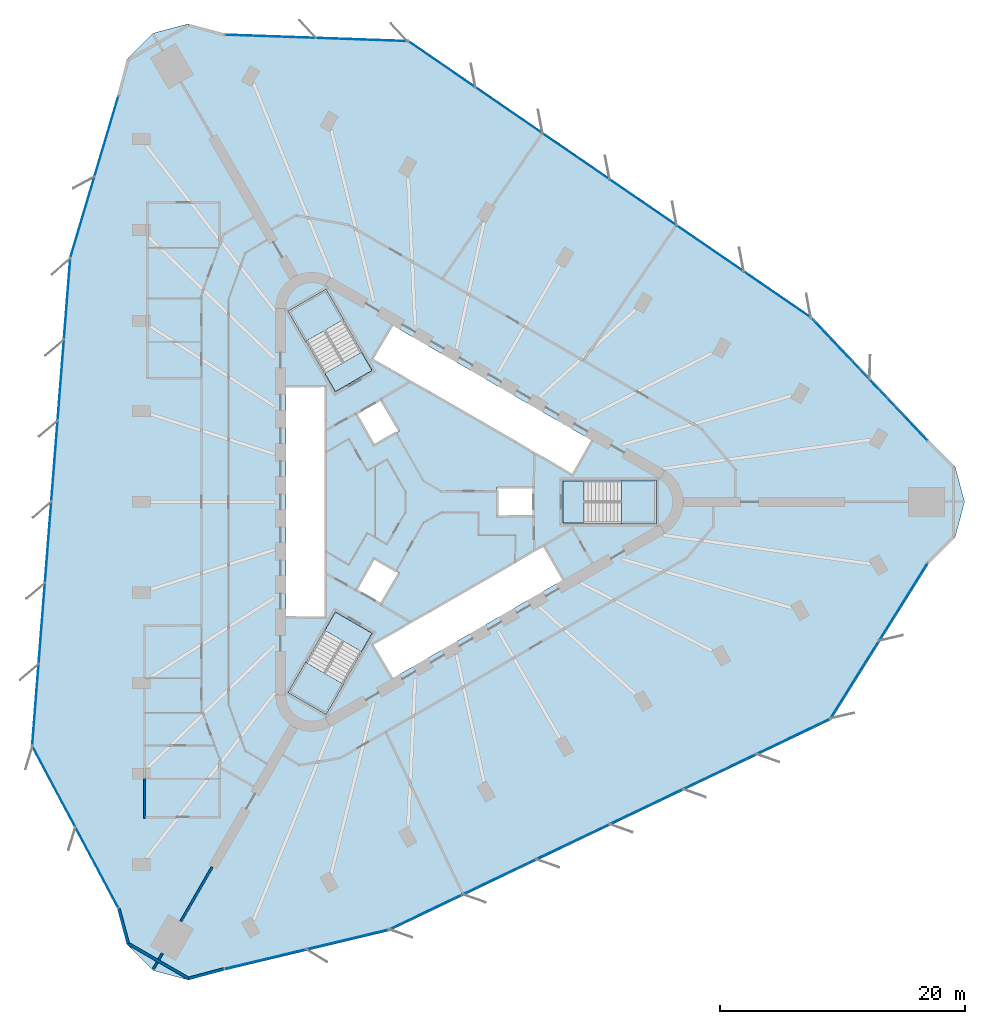
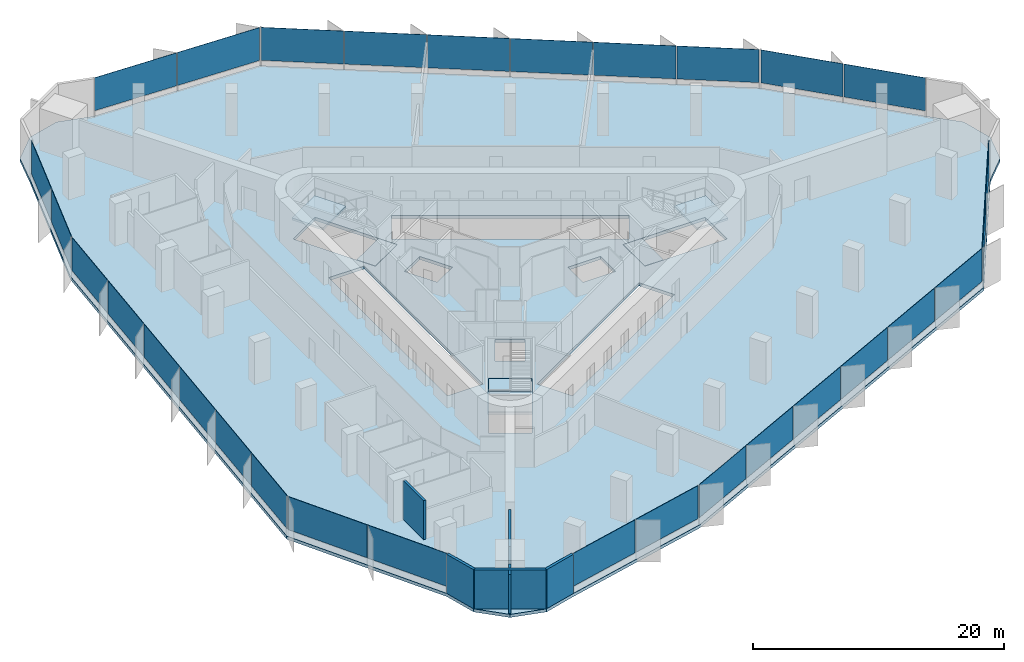
# One storey, part 8 of 15: 30 plates, 7 slabs, 7 walls, 12 elements without a shape of their own.
"""IFC4 building model written with IfcOpenShell, lengths in metres."""

from ifc_helpers import new_model, si_unit, direction, frame, frame_2d, origin, origin_2d, place, context, subcontext, project, spatial, polyline, rectangle, outline, extrude, material, layer, layer_set, type_object, element, aggregate, save


model = new_model("IFC4")

# Units and contexts
model_context = context("Model", 3, precision=1e-05, world=origin(), true_north=direction((0.0, 1.0)))
body_context = subcontext(model_context, "Body", "Model", "MODEL_VIEW")
ifc_project = project(units=[si_unit("LENGTHUNIT", "METRE"), si_unit("AREAUNIT", "SQUARE_METRE"), si_unit("VOLUMEUNIT", "CUBIC_METRE"), si_unit("PLANEANGLEUNIT", "RADIAN"), si_unit("MASSUNIT", "GRAM", prefix="KILO")], contexts=[model_context])

# Site, building, storey
site_placement = place(None, origin())
site = spatial("IfcSite", under=ifc_project, at=site_placement, CompositionType="ELEMENT")
building_placement = place(site_placement, origin())
building = spatial("IfcBuilding", under=site, at=building_placement, Name="Tanit Gate Tower", CompositionType="ELEMENT")
storey_placement = place(building_placement, frame((0.0, 0.0, 98.800048828125)))
storey = spatial("IfcBuildingStorey", under=building, at=storey_placement, Name="L20", CompositionType="ELEMENT", Elevation=98.800048828125)

# Slab
ifc_material_1 = material(Name="Concrete C35/45", Category="concrete")
ifc_layer_1 = layer(ifc_material_1, 0.300048828125)
ifc_layer_set_1 = layer_set([ifc_layer_1], Name="FLOOR SLAB 300 C35/45")
slab_type_1 = type_object("IfcSlabType", Name="FLOOR SLAB 300 C35/45", PredefinedType="FLOOR", material=ifc_layer_set_1)
slab_1_placement = place(storey_placement, frame((0.0, 0.0, -0.300048828125)))
element("IfcSlab", 1, at=slab_1_placement, inside=storey, type_object=slab_type_1, Name="FLOOR SLAB L20", PredefinedType="FLOOR", context=body_context, shape_type="SweptSolid", body=[
    extrude(outline(polyline([(41.213134765625, 5.0361328125), (43.341552734375, 2.90771484375), (44.12060546875, 0.0), (43.341552734375, -2.90771484375), (41.213134765625, -5.0361328125), (33.24853515625, -17.77978515625), (-2.780517578125, -34.9921875), (-16.2451171875, -38.209716796875), (-19.15283203125, -38.98876953125), (-22.060302734375, -38.209716796875), (-24.188720703125, -36.081298828125), (-24.968017578125, -33.173583984375), (-32.02197265625, -19.904296875), (-28.913818359375, 19.904296875), (-24.968017578125, 33.173583984375), (-24.188720703125, 36.081298828125), (-22.060302734375, 38.209716796875), (-19.15283203125, 38.98876953125), (-16.2451171875, 38.209716796875), (-1.2265625, 37.683837890625), (31.694580078125, 15.088134765625), (41.213134765625, 5.0361328125)]), holes=[polyline([(11.3701171875, 1.72998046875), (18.929931640625, 1.72998046875), (18.929931640625, -1.72998046875), (11.3701171875, -1.72998046875), (11.3701171875, 1.72998046875)]), polyline([(-4.208984375, 11.60986328125), (-2.583984375, 14.424560546875), (13.783935546875, 4.974609375), (12.158935546875, 2.159912109375), (-4.208984375, 11.60986328125)]), polyline([(-4.208984375, -11.60986328125), (9.82080078125, -3.510009765625), (11.44580078125, -6.324462890625), (-2.583984375, -14.424560546875), (-4.208984375, -11.60986328125)]), polyline([(9.0, 1.199951171875), (9.0, -1.199951171875), (6.0, -1.199951171875), (6.0, 1.199951171875), (9.0, 1.199951171875)]), polyline([(-5.539306640625, 7.194091796875), (-3.460693359375, 8.394287109375), (-1.960693359375, 5.796142578125), (-4.039306640625, 4.59619140625), (-5.539306640625, 7.194091796875)]), polyline([(-1.960693359375, -5.796142578125), (-3.460693359375, -8.394287109375), (-5.539306640625, -7.194091796875), (-4.039306640625, -4.59619140625), (-1.960693359375, -5.796142578125)]), polyline([(-10.963134765625, 15.52880859375), (-7.966796875, 17.2587890625), (-4.186767578125, 10.711669921875), (-7.18310546875, 8.981689453125), (-10.963134765625, 15.52880859375)]), polyline([(-4.186767578125, -10.711669921875), (-7.966796875, -17.2587890625), (-10.963134765625, -15.52880859375), (-7.18310546875, -8.981689453125), (-4.186767578125, -10.711669921875)]), polyline([(-11.199951171875, -9.449951171875), (-11.199951171875, 9.449951171875), (-7.949951171875, 9.449951171875), (-7.949951171875, -9.449951171875), (-11.199951171875, -9.449951171875)])]), origin(), (0.0, 0.0, 1.0), 0.300048828125),
])

# Curtain wall, plates
ifc_material_2 = material(Name="Aluminium bronze anodised and glass", Category="aluminium")
curtain_wall_type = type_object("IfcCurtainWallType", Name="Curtain wall typical low", PredefinedType="NOTDEFINED", material=ifc_material_2)
curtain_wall_1_placement = place(storey_placement, origin())
curtain_wall_1 = element("IfcCurtainWall", 2, at=curtain_wall_1_placement, inside=storey, type_object=curtain_wall_type, Name="Curtain wall L20 NE1", PredefinedType="NOTDEFINED")
ifc_material_3 = material(Name="Glass tinted", Category="glass")
ifc_layer_2 = layer(ifc_material_3, 0.031982421875)
ifc_layer_set_2 = layer_set([ifc_layer_2], Name="Glass panel 32 typical low")
plate_type = type_object("IfcPlateType", Name="Glass panel 32 typical low", PredefinedType="CURTAIN_PANEL", material=ifc_layer_set_2)
plate_1_placement = place(storey_placement, frame((38.735595703125, 7.477783203125, 0.60009765625), z_axis=(0.0, 0.0, 1.0), x_axis=(-0.687581275541, 0.726107422855, 0.0)))
plate_1 = element("IfcPlate", 3, at=plate_1_placement, type_object=plate_type, Name="Glass panel L20 NE1.1", PredefinedType="CURTAIN_PANEL", context=body_context, shape_type="SweptSolid", body=[
    extrude(rectangle(XDim=6.79638671875, YDim=0.031982421875, at=origin_2d()), origin(), (0.0, 0.0, 1.0), 3.199951171875),
])
plate_2_placement = place(storey_placement, frame((34.007568359375, 12.470947265625, 0.60009765625), z_axis=(0.0, 0.0, 1.0), x_axis=(-0.687581275541, 0.726107422855, 0.0)))
plate_2 = element("IfcPlate", 4, at=plate_2_placement, type_object=plate_type, Name="Glass panel L20 NE1.2", PredefinedType="CURTAIN_PANEL", context=body_context, shape_type="SweptSolid", body=[
    extrude(rectangle(XDim=6.79638671875, YDim=0.031982421875, at=origin_2d()), origin(), (0.0, 0.0, 1.0), 3.199951171875),
])
aggregate(curtain_wall_1, [plate_1, plate_2])

curtain_wall_2_placement = place(storey_placement, origin())
curtain_wall_2 = element("IfcCurtainWall", 5, at=curtain_wall_2_placement, inside=storey, type_object=curtain_wall_type, Name="Curtain wall L20 NE2", PredefinedType="NOTDEFINED")
plate_3_placement = place(storey_placement, frame((28.848388671875, 16.89599609375, 0.60009765625), z_axis=(0.0, 0.0, 1.0), x_axis=(-0.824478578624, 0.56589316429, 0.0)))
plate_3 = element("IfcPlate", 6, at=plate_3_placement, type_object=plate_type, Name="Glass panel L20 NE2.1", PredefinedType="CURTAIN_PANEL", context=body_context, shape_type="SweptSolid", body=[
    extrude(rectangle(XDim=6.5537109375, YDim=0.031982421875, at=origin_2d()), origin(), (0.0, 0.0, 1.0), 3.199951171875),
])
plate_4_placement = place(storey_placement, frame((23.379150390625, 20.64990234375, 0.60009765625), z_axis=(0.0, 0.0, 1.0), x_axis=(-0.824478578624, 0.56589316429, 0.0)))
plate_4 = element("IfcPlate", 7, at=plate_4_placement, type_object=plate_type, Name="Glass panel L20 NE2.2", PredefinedType="CURTAIN_PANEL", context=body_context, shape_type="SweptSolid", body=[
    extrude(rectangle(XDim=6.5537109375, YDim=0.031982421875, at=origin_2d()), origin(), (0.0, 0.0, 1.0), 3.199951171875),
])
plate_5_placement = place(storey_placement, frame((17.909912109375, 24.40380859375, 0.60009765625), z_axis=(0.0, 0.0, 1.0), x_axis=(-0.824478578624, 0.56589316429, 0.0)))
plate_5 = element("IfcPlate", 8, at=plate_5_placement, type_object=plate_type, Name="Glass panel L20 NE2.3", PredefinedType="CURTAIN_PANEL", context=body_context, shape_type="SweptSolid", body=[
    extrude(rectangle(XDim=6.5537109375, YDim=0.031982421875, at=origin_2d()), origin(), (0.0, 0.0, 1.0), 3.199951171875),
])
plate_6_placement = place(storey_placement, frame((12.440673828125, 28.15771484375, 0.60009765625), z_axis=(0.0, 0.0, 1.0), x_axis=(-0.824478578624, 0.56589316429, 0.0)))
plate_6 = element("IfcPlate", 9, at=plate_6_placement, type_object=plate_type, Name="Glass panel L20 NE2.4", PredefinedType="CURTAIN_PANEL", context=body_context, shape_type="SweptSolid", body=[
    extrude(rectangle(XDim=6.5537109375, YDim=0.031982421875, at=origin_2d()), origin(), (0.0, 0.0, 1.0), 3.199951171875),
])
plate_7_placement = place(storey_placement, frame((6.97119140625, 31.91162109375, 0.60009765625), z_axis=(0.0, 0.0, 1.0), x_axis=(-0.824478578624, 0.56589316429, 0.0)))
plate_7 = element("IfcPlate", 10, at=plate_7_placement, type_object=plate_type, Name="Glass panel L20 NE2.5", PredefinedType="CURTAIN_PANEL", context=body_context, shape_type="SweptSolid", body=[
    extrude(rectangle(XDim=6.5537109375, YDim=0.031982421875, at=origin_2d()), origin(), (0.0, 0.0, 1.0), 3.199951171875),
])
plate_8_placement = place(storey_placement, frame((1.501953125, 35.66552734375, 0.60009765625), z_axis=(0.0, 0.0, 1.0), x_axis=(-0.824478578624, 0.56589316429, 0.0)))
plate_8 = element("IfcPlate", 11, at=plate_8_placement, type_object=plate_type, Name="Glass panel L20 NE2.6", PredefinedType="CURTAIN_PANEL", context=body_context, shape_type="SweptSolid", body=[
    extrude(rectangle(XDim=6.5537109375, YDim=0.031982421875, at=origin_2d()), origin(), (0.0, 0.0, 1.0), 3.199951171875),
])
aggregate(curtain_wall_2, [plate_3, plate_4, plate_5, plate_6, plate_7, plate_8])

curtain_wall_3_placement = place(storey_placement, origin())
curtain_wall_3 = element("IfcCurtainWall", 12, at=curtain_wall_3_placement, inside=storey, type_object=curtain_wall_type, Name="Curtain wall L20 NE3", PredefinedType="NOTDEFINED")
plate_9_placement = place(storey_placement, frame((-5.034912109375, 37.697265625, 0.60009765625), z_axis=(0.0, 0.0, 1.0), x_axis=(-0.999387824997, 0.034985357634, 0.0)))
plate_9 = element("IfcPlate", 13, at=plate_9_placement, type_object=plate_type, Name="Glass panel L20 NE3.1", PredefinedType="CURTAIN_PANEL", context=body_context, shape_type="SweptSolid", body=[
    extrude(rectangle(XDim=7.38330078125, YDim=0.031982421875, at=origin_2d()), origin(), (0.0, 0.0, 1.0), 3.199951171875),
])
plate_10_placement = place(storey_placement, frame((-12.49365234375, 37.958251953125, 0.60009765625), z_axis=(0.0, 0.0, 1.0), x_axis=(-0.999387824997, 0.034985357634, 0.0)))
plate_10 = element("IfcPlate", 14, at=plate_10_placement, type_object=plate_type, Name="Glass panel L20 NE3.2", PredefinedType="CURTAIN_PANEL", context=body_context, shape_type="SweptSolid", body=[
    extrude(rectangle(XDim=7.38330078125, YDim=0.031982421875, at=origin_2d()), origin(), (0.0, 0.0, 1.0), 3.199951171875),
])
aggregate(curtain_wall_3, [plate_9, plate_10])

curtain_wall_4_placement = place(storey_placement, origin())
curtain_wall_4 = element("IfcCurtainWall", 15, at=curtain_wall_4_placement, inside=storey, type_object=curtain_wall_type, Name="Curtain wall L20 W1", PredefinedType="NOTDEFINED")
plate_11_placement = place(storey_placement, frame((-25.84375, 29.80712890625, 0.60009765625), z_axis=(0.0, 0.0, 1.0), x_axis=(-0.285036836298, -0.958516563213, 0.0)))
plate_11 = element("IfcPlate", 16, at=plate_11_placement, type_object=plate_type, Name="Glass panel L20 W1.1", PredefinedType="CURTAIN_PANEL", context=body_context, shape_type="SweptSolid", body=[
    extrude(rectangle(XDim=6.79638671875, YDim=0.031982421875, at=origin_2d()), origin(), (0.0, 0.0, 1.0), 3.199951171875),
])
plate_12_placement = place(storey_placement, frame((-27.803955078125, 23.216064453125, 0.60009765625), z_axis=(0.0, 0.0, 1.0), x_axis=(-0.285036836298, -0.958516563213, 0.0)))
plate_12 = element("IfcPlate", 17, at=plate_12_placement, type_object=plate_type, Name="Glass panel L20 W1.2", PredefinedType="CURTAIN_PANEL", context=body_context, shape_type="SweptSolid", body=[
    extrude(rectangle(XDim=6.79638671875, YDim=0.031982421875, at=origin_2d()), origin(), (0.0, 0.0, 1.0), 3.199951171875),
])
aggregate(curtain_wall_4, [plate_11, plate_12])

curtain_wall_5_placement = place(storey_placement, origin())
curtain_wall_5 = element("IfcCurtainWall", 18, at=curtain_wall_5_placement, inside=storey, type_object=curtain_wall_type, Name="Curtain wall L20 W2", PredefinedType="NOTDEFINED")
plate_13_placement = place(storey_placement, frame((-29.056640625, 16.53564453125, 0.60009765625), z_axis=(0.0, 0.0, 1.0), x_axis=(-0.077838566791, -0.996965976109, 0.0)))
plate_13 = element("IfcPlate", 19, at=plate_13_placement, type_object=plate_type, Name="Glass panel L20 W2.1", PredefinedType="CURTAIN_PANEL", context=body_context, shape_type="SweptSolid", body=[
    extrude(rectangle(XDim=6.5537109375, YDim=0.031982421875, at=origin_2d()), origin(), (0.0, 0.0, 1.0), 3.199951171875),
])
plate_14_placement = place(storey_placement, frame((-29.572998046875, 9.922119140625, 0.60009765625), z_axis=(0.0, 0.0, 1.0), x_axis=(-0.077838566791, -0.996965976109, 0.0)))
plate_14 = element("IfcPlate", 20, at=plate_14_placement, type_object=plate_type, Name="Glass panel L20 W2.2", PredefinedType="CURTAIN_PANEL", context=body_context, shape_type="SweptSolid", body=[
    extrude(rectangle(XDim=6.5537109375, YDim=0.031982421875, at=origin_2d()), origin(), (0.0, 0.0, 1.0), 3.199951171875),
])
plate_15_placement = place(storey_placement, frame((-30.08935546875, 3.30859375, 0.60009765625), z_axis=(0.0, 0.0, 1.0), x_axis=(-0.077838566791, -0.996965976109, 0.0)))
plate_15 = element("IfcPlate", 21, at=plate_15_placement, type_object=plate_type, Name="Glass panel L20 W2.3", PredefinedType="CURTAIN_PANEL", context=body_context, shape_type="SweptSolid", body=[
    extrude(rectangle(XDim=6.5537109375, YDim=0.031982421875, at=origin_2d()), origin(), (0.0, 0.0, 1.0), 3.199951171875),
])
plate_16_placement = place(storey_placement, frame((-30.605712890625, -3.304931640625, 0.60009765625), z_axis=(0.0, 0.0, 1.0), x_axis=(-0.077838566791, -0.996965976109, 0.0)))
plate_16 = element("IfcPlate", 22, at=plate_16_placement, type_object=plate_type, Name="Glass panel L20 W2.4", PredefinedType="CURTAIN_PANEL", context=body_context, shape_type="SweptSolid", body=[
    extrude(rectangle(XDim=6.5537109375, YDim=0.031982421875, at=origin_2d()), origin(), (0.0, 0.0, 1.0), 3.199951171875),
])
plate_17_placement = place(storey_placement, frame((-31.1220703125, -9.91845703125, 0.60009765625), z_axis=(0.0, 0.0, 1.0), x_axis=(-0.077838566791, -0.996965976109, 0.0)))
plate_17 = element("IfcPlate", 23, at=plate_17_placement, type_object=plate_type, Name="Glass panel L20 W2.5", PredefinedType="CURTAIN_PANEL", context=body_context, shape_type="SweptSolid", body=[
    extrude(rectangle(XDim=6.5537109375, YDim=0.031982421875, at=origin_2d()), origin(), (0.0, 0.0, 1.0), 3.199951171875),
])
plate_18_placement = place(storey_placement, frame((-31.63818359375, -16.531982421875, 0.60009765625), z_axis=(0.0, 0.0, 1.0), x_axis=(-0.077838566791, -0.996965976109, 0.0)))
plate_18 = element("IfcPlate", 24, at=plate_18_placement, type_object=plate_type, Name="Glass panel L20 W2.6", PredefinedType="CURTAIN_PANEL", context=body_context, shape_type="SweptSolid", body=[
    extrude(rectangle(XDim=6.5537109375, YDim=0.031982421875, at=origin_2d()), origin(), (0.0, 0.0, 1.0), 3.199951171875),
])
aggregate(curtain_wall_5, [plate_13, plate_14, plate_15, plate_16, plate_17, plate_18])

curtain_wall_6_placement = place(storey_placement, origin())
curtain_wall_6 = element("IfcCurtainWall", 25, at=curtain_wall_6_placement, inside=storey, type_object=curtain_wall_type, Name="Curtain wall L20 W3", PredefinedType="NOTDEFINED")
plate_19_placement = place(storey_placement, frame((-30.129150390625, -23.208984375, 0.60009765625), z_axis=(0.0, 0.0, 1.0), x_axis=(0.469395704027, -0.882987923497, 0.0)))
plate_19 = element("IfcPlate", 26, at=plate_19_placement, type_object=plate_type, Name="Glass panel L20 W3.1", PredefinedType="CURTAIN_PANEL", context=body_context, shape_type="SweptSolid", body=[
    extrude(rectangle(XDim=7.38330078125, YDim=0.031982421875, at=origin_2d()), origin(), (0.0, 0.0, 1.0), 3.199951171875),
])
plate_20_placement = place(storey_placement, frame((-26.6259765625, -29.799072265625, 0.60009765625), z_axis=(0.0, 0.0, 1.0), x_axis=(0.469395704027, -0.882987923497, 0.0)))
plate_20 = element("IfcPlate", 27, at=plate_20_placement, type_object=plate_type, Name="Glass panel L20 W3.2", PredefinedType="CURTAIN_PANEL", context=body_context, shape_type="SweptSolid", body=[
    extrude(rectangle(XDim=7.38330078125, YDim=0.031982421875, at=origin_2d()), origin(), (0.0, 0.0, 1.0), 3.199951171875),
])
aggregate(curtain_wall_6, [plate_19, plate_20])

curtain_wall_7_placement = place(storey_placement, origin())
curtain_wall_7 = element("IfcCurtainWall", 28, at=curtain_wall_7_placement, inside=storey, type_object=curtain_wall_type, Name="Curtain wall L20 SE1", PredefinedType="NOTDEFINED")
plate_21_placement = place(storey_placement, frame((-12.891845703125, -37.284912109375, 0.60009765625), z_axis=(0.0, 0.0, 1.0), x_axis=(0.972618111839, 0.232409140358, 0.0)))
plate_21 = element("IfcPlate", 29, at=plate_21_placement, type_object=plate_type, Name="Glass panel L20 SE1.1", PredefinedType="CURTAIN_PANEL", context=body_context, shape_type="SweptSolid", body=[
    extrude(rectangle(XDim=6.79638671875, YDim=0.031982421875, at=origin_2d()), origin(), (0.0, 0.0, 1.0), 3.199951171875),
])
plate_22_placement = place(storey_placement, frame((-6.20361328125, -35.686767578125, 0.60009765625), z_axis=(0.0, 0.0, 1.0), x_axis=(0.972618111839, 0.232409140358, 0.0)))
plate_22 = element("IfcPlate", 30, at=plate_22_placement, type_object=plate_type, Name="Glass panel L20 SE1.2", PredefinedType="CURTAIN_PANEL", context=body_context, shape_type="SweptSolid", body=[
    extrude(rectangle(XDim=6.79638671875, YDim=0.031982421875, at=origin_2d()), origin(), (0.0, 0.0, 1.0), 3.199951171875),
])
aggregate(curtain_wall_7, [plate_21, plate_22])

curtain_wall_8_placement = place(storey_placement, origin())
curtain_wall_8 = element("IfcCurtainWall", 31, at=curtain_wall_8_placement, inside=storey, type_object=curtain_wall_type, Name="Curtain wall L20 SE2", PredefinedType="NOTDEFINED")
plate_23_placement = place(storey_placement, frame((0.2080078125, -33.431396484375, 0.60009765625), z_axis=(0.0, 0.0, 1.0), x_axis=(0.902317145415, 0.431072811819, 0.0)))
plate_23 = element("IfcPlate", 32, at=plate_23_placement, type_object=plate_type, Name="Glass panel L20 SE2.1", PredefinedType="CURTAIN_PANEL", context=body_context, shape_type="SweptSolid", body=[
    extrude(rectangle(XDim=6.5537109375, YDim=0.031982421875, at=origin_2d()), origin(), (0.0, 0.0, 1.0), 3.199951171875),
])
plate_24_placement = place(storey_placement, frame((6.19384765625, -30.57177734375, 0.60009765625), z_axis=(0.0, 0.0, 1.0), x_axis=(0.902317145415, 0.431072811819, 0.0)))
plate_24 = element("IfcPlate", 33, at=plate_24_placement, type_object=plate_type, Name="Glass panel L20 SE2.2", PredefinedType="CURTAIN_PANEL", context=body_context, shape_type="SweptSolid", body=[
    extrude(rectangle(XDim=6.5537109375, YDim=0.031982421875, at=origin_2d()), origin(), (0.0, 0.0, 1.0), 3.199951171875),
])
plate_25_placement = place(storey_placement, frame((12.179443359375, -27.71240234375, 0.60009765625), z_axis=(0.0, 0.0, 1.0), x_axis=(0.902317145415, 0.431072811819, 0.0)))
plate_25 = element("IfcPlate", 34, at=plate_25_placement, type_object=plate_type, Name="Glass panel L20 SE2.3", PredefinedType="CURTAIN_PANEL", context=body_context, shape_type="SweptSolid", body=[
    extrude(rectangle(XDim=6.5537109375, YDim=0.031982421875, at=origin_2d()), origin(), (0.0, 0.0, 1.0), 3.199951171875),
])
plate_26_placement = place(storey_placement, frame((18.1650390625, -24.852783203125, 0.60009765625), z_axis=(0.0, 0.0, 1.0), x_axis=(0.902317145415, 0.431072811819, 0.0)))
plate_26 = element("IfcPlate", 35, at=plate_26_placement, type_object=plate_type, Name="Glass panel L20 SE2.4", PredefinedType="CURTAIN_PANEL", context=body_context, shape_type="SweptSolid", body=[
    extrude(rectangle(XDim=6.5537109375, YDim=0.031982421875, at=origin_2d()), origin(), (0.0, 0.0, 1.0), 3.199951171875),
])
plate_27_placement = place(storey_placement, frame((24.150634765625, -21.9931640625, 0.60009765625), z_axis=(0.0, 0.0, 1.0), x_axis=(0.902317145415, 0.431072811819, 0.0)))
plate_27 = element("IfcPlate", 36, at=plate_27_placement, type_object=plate_type, Name="Glass panel L20 SE2.5", PredefinedType="CURTAIN_PANEL", context=body_context, shape_type="SweptSolid", body=[
    extrude(rectangle(XDim=6.5537109375, YDim=0.031982421875, at=origin_2d()), origin(), (0.0, 0.0, 1.0), 3.199951171875),
])
plate_28_placement = place(storey_placement, frame((30.13623046875, -19.133544921875, 0.60009765625), z_axis=(0.0, 0.0, 1.0), x_axis=(0.902317145415, 0.431072811819, 0.0)))
plate_28 = element("IfcPlate", 37, at=plate_28_placement, type_object=plate_type, Name="Glass panel L20 SE2.6", PredefinedType="CURTAIN_PANEL", context=body_context, shape_type="SweptSolid", body=[
    extrude(rectangle(XDim=6.5537109375, YDim=0.031982421875, at=origin_2d()), origin(), (0.0, 0.0, 1.0), 3.199951171875),
])
aggregate(curtain_wall_8, [plate_23, plate_24, plate_25, plate_26, plate_27, plate_28])

curtain_wall_9_placement = place(storey_placement, origin())
curtain_wall_9 = element("IfcCurtainWall", 38, at=curtain_wall_9_placement, inside=storey, type_object=curtain_wall_type, Name="Curtain wall L20 SE3", PredefinedType="NOTDEFINED")
plate_29_placement = place(storey_placement, frame((35.164306640625, -14.488037109375, 0.60009765625), z_axis=(0.0, 0.0, 1.0), x_axis=(0.529992120969, 0.848002565863, 0.0)))
plate_29 = element("IfcPlate", 39, at=plate_29_placement, type_object=plate_type, Name="Glass panel L20 SE3.1", PredefinedType="CURTAIN_PANEL", context=body_context, shape_type="SweptSolid", body=[
    extrude(rectangle(XDim=7.38330078125, YDim=0.031982421875, at=origin_2d()), origin(), (0.0, 0.0, 1.0), 3.199951171875),
])
plate_30_placement = place(storey_placement, frame((39.11962890625, -8.1591796875, 0.60009765625), z_axis=(0.0, 0.0, 1.0), x_axis=(0.529992120969, 0.848002565863, 0.0)))
plate_30 = element("IfcPlate", 40, at=plate_30_placement, type_object=plate_type, Name="Glass panel L20 SE3.2", PredefinedType="CURTAIN_PANEL", context=body_context, shape_type="SweptSolid", body=[
    extrude(rectangle(XDim=7.38330078125, YDim=0.031982421875, at=origin_2d()), origin(), (0.0, 0.0, 1.0), 3.199951171875),
])
aggregate(curtain_wall_9, [plate_29, plate_30])

# Stair, slab
ifc_material_4 = material(Name="Concrete C40/50", Category="concrete")
stair_type = type_object("IfcStairType", Name="INT-STAIR-EXIT", PredefinedType="HALF_TURN_STAIR", material=ifc_material_4)
stair_1_placement = place(storey_placement, origin())
stair_1 = element("IfcStair", 41, at=stair_1_placement, inside=storey, type_object=stair_type, Name="L20 STAIR S1", PredefinedType="HALF_TURN_STAIR")
ifc_material_5 = material(Name="Concrete C40/50", Category="concrete")
ifc_layer_3 = layer(ifc_material_5, 0.199951171875)
ifc_layer_set_3 = layer_set([ifc_layer_3], Name="INT-STAIR-LANDING")
slab_type_2 = type_object("IfcSlabType", Name="INT-STAIR-LANDING", PredefinedType="LANDING", material=ifc_layer_set_3)
slab_2_placement = place(storey_placement, frame((0.0, 0.0, 1.849853515625)))
slab_2 = element("IfcSlab", 42, at=slab_2_placement, type_object=slab_type_2, Name="S1 landing 1", PredefinedType="LANDING", context=body_context, shape_type="SweptSolid", body=[
    extrude(outline(polyline([(16.135986328125, -1.800048828125), (19.0, -1.800048828125), (19.0, 1.800048828125), (16.135986328125, 1.800048828125), (16.135986328125, -1.800048828125)])), origin(), (0.0, 0.0, 1.0), 0.2001953125),
])
aggregate(stair_1, [slab_2])

# Slab
slab_3_placement = place(storey_placement, frame((0.0, 0.0, -0.199951171875)))
element("IfcSlab", 43, at=slab_3_placement, inside=storey, type_object=slab_type_2, Name="S1 floor landing", PredefinedType="LANDING", context=body_context, shape_type="SweptSolid", body=[
    extrude(outline(polyline([(11.3798828125, -1.719970703125), (13.10498046875, -1.719970703125), (13.10498046875, 1.719970703125), (11.3798828125, 1.719970703125), (11.3798828125, -1.719970703125)])), origin(), (0.0, 0.0, 1.0), 0.199951171875),
])

# Stair, slab
stair_2_placement = place(storey_placement, origin())
stair_2 = element("IfcStair", 44, at=stair_2_placement, inside=storey, type_object=stair_type, Name="L20 STAIR S2", PredefinedType="HALF_TURN_STAIR")
slab_4_placement = place(storey_placement, frame((0.0, 0.0, 1.849853515625)))
slab_4 = element("IfcSlab", 45, at=slab_4_placement, type_object=slab_type_2, Name="S2 landing 1", PredefinedType="LANDING", context=body_context, shape_type="SweptSolid", body=[
    extrude(outline(polyline([(-6.5078125, 14.871826171875), (-7.941162109375, 17.3544921875), (-11.058837890625, 15.554443359375), (-9.62548828125, 13.07177734375), (-6.5078125, 14.871826171875)])), origin(), (0.0, 0.0, 1.0), 0.2001953125),
])
aggregate(stair_2, [slab_4])

# Slab
slab_5_placement = place(storey_placement, frame((0.0, 0.0, -0.199951171875)))
element("IfcSlab", 46, at=slab_5_placement, inside=storey, type_object=slab_type_2, Name="S2 floor landing", PredefinedType="LANDING", context=body_context, shape_type="SweptSolid", body=[
    extrude(outline(polyline([(-4.200439453125, 10.71533203125), (-5.0625, 12.20849609375), (-8.04150390625, 10.48828125), (-7.179443359375, 8.995361328125), (-4.200439453125, 10.71533203125)])), origin(), (0.0, 0.0, 1.0), 0.199951171875),
])

# Stair, slab
stair_3_placement = place(storey_placement, origin())
stair_3 = element("IfcStair", 47, at=stair_3_placement, inside=storey, type_object=stair_type, Name="L20 STAIR S3", PredefinedType="HALF_TURN_STAIR")
slab_6_placement = place(storey_placement, frame((0.0, 0.0, 1.849853515625)))
slab_6 = element("IfcSlab", 48, at=slab_6_placement, type_object=slab_type_2, Name="S3 landing 1", PredefinedType="LANDING", context=body_context, shape_type="SweptSolid", body=[
    extrude(outline(polyline([(-9.626953125, -13.07421875), (-11.058837890625, -15.554443359375), (-7.941162109375, -17.3544921875), (-6.509033203125, -14.874267578125), (-9.626953125, -13.07421875)])), origin(), (0.0, 0.0, 1.0), 0.2001953125),
])
aggregate(stair_3, [slab_6])

# Slab
slab_7_placement = place(storey_placement, frame((0.0, 0.0, -0.199951171875)))
element("IfcSlab", 49, at=slab_7_placement, inside=storey, type_object=slab_type_2, Name="S3 floor landing", PredefinedType="LANDING", context=body_context, shape_type="SweptSolid", body=[
    extrude(outline(polyline([(-7.179443359375, -8.995361328125), (-8.0419921875, -10.4892578125), (-5.06298828125, -12.209228515625), (-4.200439453125, -10.71533203125), (-7.179443359375, -8.995361328125)])), origin(), (0.0, 0.0, 1.0), 0.199951171875),
])

# Walls
ifc_material_6 = material(Name="Concrete C30/37 with bronze anodised aluminium cladding", Category="concrete")
ifc_layer_4 = layer(ifc_material_6, 0.239990234375)
ifc_layer_set_4 = layer_set([ifc_layer_4], Name="Facade wall bronze clad 240")
wall_type_1 = type_object("IfcWallType", Name="Facade wall bronze clad 240", PredefinedType="SOLIDWALL", material=ifc_layer_set_4)
wall_1_placement = place(storey_placement, frame((-24.85546875, -33.12939453125, 0.0), z_axis=(0.0, 0.0, 1.0), x_axis=(0.258785036271, -0.965934938286, 0.0)))
element("IfcWall", 50, at=wall_1_placement, inside=storey, type_object=wall_type_1, Name="Bronze-clad facade wall L20 SW.arc1", PredefinedType="SOLIDWALL", context=body_context, shape_type="SweptSolid", body=[
    extrude(rectangle(XDim=2.991455078125, YDim=0.239990234375, at=frame_2d((1.49560546875, 0.0))), origin(), (0.0, 0.0, 1.0), 3.800048828125),
])
wall_2_placement = place(storey_placement, frame((-24.081298828125, -36.01904296875, 0.0), z_axis=(0.0, 0.0, 1.0), x_axis=(0.866024844342, -0.500000968981, 0.0)))
element("IfcWall", 51, at=wall_2_placement, inside=storey, type_object=wall_type_1, Name="Bronze-clad facade wall L20 SW.arc2", PredefinedType="SOLIDWALL", context=body_context, shape_type="SweptSolid", body=[
    extrude(rectangle(XDim=5.69091796875, YDim=0.239990234375, at=frame_2d((2.845458984375, 0.0))), origin(), (0.0, 0.0, 1.0), 3.800048828125),
])
wall_3_placement = place(storey_placement, frame((-19.15283203125, -38.864501953125, 0.0), z_axis=(0.0, 0.0, 1.0), x_axis=(0.965922815746, 0.258830280341, 0.0)))
element("IfcWall", 52, at=wall_3_placement, inside=storey, type_object=wall_type_1, Name="Bronze-clad facade wall L20 SW.arc3", PredefinedType="SOLIDWALL", context=body_context, shape_type="SweptSolid", body=[
    extrude(rectangle(XDim=2.979736328125, YDim=0.239990234375, at=frame_2d((1.48974609375, 0.0))), origin(), (0.0, 0.0, 1.0), 3.800048828125),
])
ifc_material_7 = material(Name="Fire-rated gypsum board partition")
ifc_layer_5 = layer(ifc_material_7, 0.199951171875)
ifc_layer_set_5 = layer_set([ifc_layer_5], Name="INT-WALL-COMPARTMENT")
wall_type_2 = type_object("IfcWallType", Name="INT-WALL-COMPARTMENT", PredefinedType="PARTITIONING", material=ifc_layer_set_5)
wall_4_placement = place(storey_placement, frame((-22.020263671875, -38.080078125, 0.0), z_axis=(0.0, 0.0, 1.0), x_axis=(0.499988999718, 0.866031754707, 0.0)))
element("IfcWall", 53, at=wall_4_placement, inside=storey, type_object=wall_type_2, Name="Wall Compartment W118", PredefinedType="PARTITIONING", context=body_context, shape_type="SweptSolid", body=[
    extrude(rectangle(XDim=0.63427734375, YDim=0.199951171875, at=frame_2d((0.317138671875, 0.0))), origin(), (0.0, 0.0, 1.0), 3.800048828125),
])
wall_5_placement = place(storey_placement, frame((-21.5830078125, -37.32275390625, 0.0), z_axis=(0.0, 0.0, 1.0), x_axis=(0.500078724409, 0.865979947454, 0.0)))
element("IfcWall", 54, at=wall_5_placement, inside=storey, type_object=wall_type_2, Name="Wall Compartment W118x1", PredefinedType="PARTITIONING", context=body_context, shape_type="SweptSolid", body=[
    extrude(rectangle(XDim=0.59326171875, YDim=0.199951171875, at=frame_2d((0.296630859375, 0.0))), origin(), (0.0, 0.0, 1.0), 3.800048828125),
])
wall_6_placement = place(storey_placement, frame((-19.786376953125, -34.2109375, 0.0), z_axis=(0.0, 0.0, 1.0), x_axis=(0.499998470576, 0.866026286796, 0.0)))
element("IfcWall", 55, at=wall_6_placement, inside=storey, type_object=wall_type_2, Name="Wall Compartment W119", PredefinedType="PARTITIONING", context=body_context, shape_type="SweptSolid", body=[
    extrude(rectangle(XDim=5.1298828125, YDim=0.199951171875, at=frame_2d((2.56494140625, 0.0))), origin(), (0.0, 0.0, 1.0), 3.369873046875),
])
wall_7_placement = place(storey_placement, frame((-22.75, -25.8125, 0.0), z_axis=(0.0, 0.0, 1.0), x_axis=(0.0, 1.0, 0.0)))
element("IfcWall", 56, at=wall_7_placement, inside=storey, type_object=wall_type_2, Name="Wall Compartment W133", PredefinedType="PARTITIONING", context=body_context, shape_type="SweptSolid", body=[
    extrude(rectangle(XDim=3.235107421875, YDim=0.199951171875, at=frame_2d((1.61767578125, 0.0))), origin(), (0.0, 0.0, 1.0), 3.800048828125),
])

save(model, "model.ifc")
